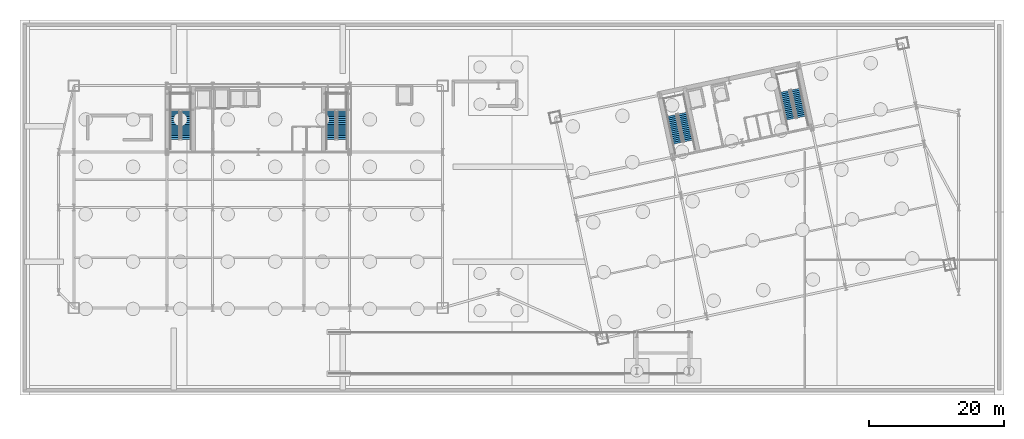
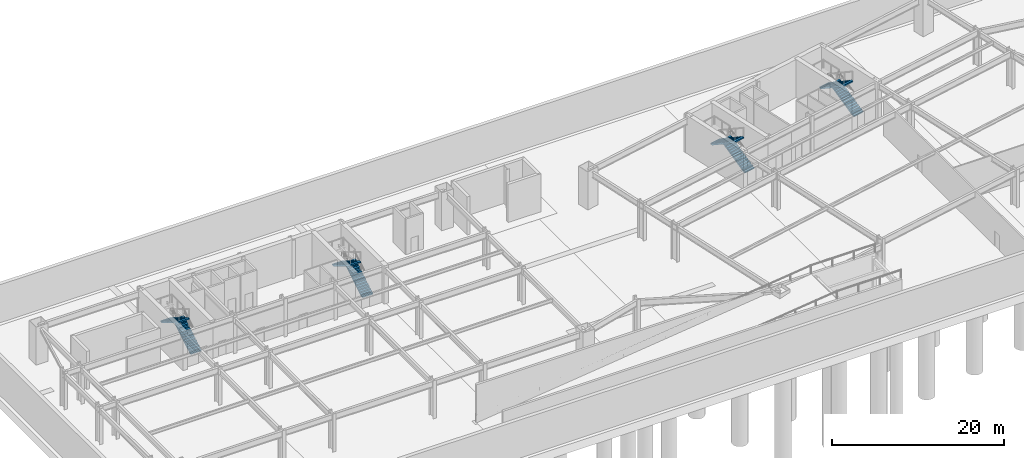
# One storey, part 11 of 15: 8 stair flights, 4 elements without a shape of their own.
"""IFC4 building model written with IfcOpenShell, lengths in metres."""

import ifcopenshell
import ifcopenshell.guid

model = None  # the IFC model being written
_history = None  # IfcOwnerHistory: only IFC2X3 demands one
_inside = {}  # id of a spatial element -> (the spatial element, [elements in it])
_under = {}  # id of a project, library or spatial element -> (it, [spatial elements below it])
_declared = {}  # id of a project -> (the project, [libraries it declares])
_typed = {}  # id of a type object -> (the type object, [elements of that type])
_made_of = {}  # id of a material, layer set ... -> (it, [elements and type objects made of it])


def new_model(schema):
    """Start an empty IFC model of exactly this schema.

    Asked for "IFC4X3", IfcOpenShell would pick the latest addendum, in which some entities
    have other attributes; the version numbers below select the first issue.
    IFC2X3 requires an IfcOwnerHistory on every rooted entity: one is made here for all.
    """
    global model, _history
    if schema == "IFC4X3":
        model = ifcopenshell.file(schema_version=(4, 3, 0, 0))
    else:
        model = ifcopenshell.file(schema=schema)
    _inside.clear()
    _under.clear()
    _declared.clear()
    _typed.clear()
    _made_of.clear()
    _history = None
    if model.schema == "IFC2X3":
        org = make("IfcOrganization", Name="unknown")
        user = make(
            "IfcPersonAndOrganization",
            ThePerson=make("IfcPerson", FamilyName="unknown"),
            TheOrganization=org,
        )
        app = make(
            "IfcApplication",
            ApplicationDeveloper=org,
            Version="unknown",
            ApplicationFullName="unknown",
            ApplicationIdentifier="unknown",
        )
        _history = make(
            "IfcOwnerHistory",
            OwningUser=user,
            OwningApplication=app,
            ChangeAction="ADDED",
            CreationDate=0,
        )
    return model


def make(cls, **values):
    """One entity of the class cls with the attributes given. An attribute that is None is left unset."""
    return model.create_entity(
        cls, **{name: value for name, value in values.items() if value is not None}
    )


def rooted(cls, **values):
    """An entity with a GlobalId (a new one), such as an element, a storey or a relation."""
    return make(cls, GlobalId=ifcopenshell.guid.new(), OwnerHistory=_history, **values)


def si_unit(unit_type, name, prefix=None):
    """IfcSIUnit, for example si_unit("LENGTHUNIT", "METRE", prefix="MILLI")."""
    return make("IfcSIUnit", UnitType=unit_type, Prefix=prefix, Name=name)


def assignment(units):
    """IfcUnitAssignment: the units of a project."""
    return None if units is None else make("IfcUnitAssignment", Units=units)


def point(xyz):
    """IfcCartesianPoint."""
    return None if xyz is None else make("IfcCartesianPoint", Coordinates=xyz)


def direction(xyz):
    """IfcDirection."""
    return None if xyz is None else make("IfcDirection", DirectionRatios=xyz)


def frame(location, z_axis=None, x_axis=None):
    """IfcAxis2Placement3D, a coordinate frame: its origin and axes. An axis left out is left unset."""
    return make(
        "IfcAxis2Placement3D",
        Location=point(location),
        Axis=direction(z_axis),
        RefDirection=direction(x_axis),
    )


def origin():
    """The frame at (0, 0, 0) with its axes left unset."""
    return frame((0.0, 0.0, 0.0))


def place(relative_to, where):
    """IfcLocalPlacement: puts the frame where relative to a parent placement (None: the world)."""
    return make(
        "IfcLocalPlacement", PlacementRelTo=relative_to, RelativePlacement=where
    )


def context(
    kind, dimensions, precision=None, world=None, true_north=None, identifier=None
):
    """IfcGeometricRepresentationContext, for example the 3D "Model" context."""
    return make(
        "IfcGeometricRepresentationContext",
        ContextIdentifier=identifier,
        ContextType=kind,
        CoordinateSpaceDimension=dimensions,
        Precision=precision,
        WorldCoordinateSystem=world,
        TrueNorth=true_north,
    )


def subcontext(parent, identifier, kind, view, scale=None):
    """IfcGeometricRepresentationSubContext, for example "Body" below "Model"."""
    return make(
        "IfcGeometricRepresentationSubContext",
        ContextIdentifier=identifier,
        ContextType=kind,
        ParentContext=parent,
        TargetScale=scale,
        TargetView=view,
    )


def project(units=None, contexts=None):
    """IfcProject with its units and contexts."""
    return rooted(
        "IfcProject",
        Name="project",
        RepresentationContexts=contexts,
        UnitsInContext=assignment(units),
    )


def spatial(cls, under=None, at=None, **own):
    """A site, building, storey or space (cls), placed at a placement, below another one or the project."""
    s = rooted(cls, ObjectPlacement=at, **own)
    if under is not None:
        _under.setdefault(under.id(), (under, []))[1].append(s)
    return s


def polyline(points):
    """IfcPolyline through the points."""
    return make("IfcPolyline", Points=[point(p) for p in points])


def outline(outer, holes=None, kind="AREA"):
    """IfcArbitraryClosedProfileDef: a profile drawn as a closed curve; with holes, ...WithVoids."""
    if holes is None:
        return make("IfcArbitraryClosedProfileDef", ProfileType=kind, OuterCurve=outer)
    return make(
        "IfcArbitraryProfileDefWithVoids",
        ProfileType=kind,
        OuterCurve=outer,
        InnerCurves=holes,
    )


def extrude(swept, where, along, depth):
    """IfcExtrudedAreaSolid: the profile swept, set in the frame where, extruded along a direction by depth."""
    return make(
        "IfcExtrudedAreaSolid",
        SweptArea=swept,
        Position=where,
        ExtrudedDirection=direction(along),
        Depth=depth,
    )


def shape(context_of_items, identifier, shape_type, items):
    """IfcShapeRepresentation: the items that make up one representation, for example the "Body"."""
    return make(
        "IfcShapeRepresentation",
        ContextOfItems=context_of_items,
        RepresentationIdentifier=identifier,
        RepresentationType=shape_type,
        Items=items,
    )


def material(Name=None, Category=None):
    """IfcMaterial."""
    return make("IfcMaterial", Name=Name, Category=Category)


def made_of(thing, what):
    """Note that an element or type object is made of a material, layer set ...; save() writes the relation."""
    if what is not None:
        _made_of.setdefault(what.id(), (what, []))[1].append(thing)
    return thing


def type_object(cls, material=None, **own):
    """A type object (cls), such as IfcWallType, which elements share."""
    return made_of(rooted(cls, **own), material)


def element(
    cls,
    number,
    at=None,
    inside=None,
    cuts=None,
    type_object=None,
    material=None,
    context=None,
    identifier="Body",
    shape_type=None,
    held_by="IfcProductDefinitionShape",
    body=None,
    shapes=None,
    **own,
):
    """One element of the class cls, such as IfcWall. Its Tag is "e" and its number.

    at: its placement. inside: the storey or other place that contains it. cuts: it is an
    opening in that element (IfcRelVoidsElement). A single representation is given by context,
    identifier, shape_type and body (its items); several are given by shapes. held_by: the class
    of the entity that holds the representations. save() writes the other relations.
    """
    e = rooted(cls, Tag="e%d" % number, ObjectPlacement=at, **own)
    if body is not None:
        shapes = [shape(context, identifier, shape_type, body)]
    if shapes is not None:
        e.Representation = make(held_by, Representations=shapes)
    if inside is not None:
        _inside.setdefault(inside.id(), (inside, []))[1].append(e)
    if cuts is not None:
        rooted(
            "IfcRelVoidsElement", RelatingBuildingElement=cuts, RelatedOpeningElement=e
        )
    if type_object is not None:
        _typed.setdefault(type_object.id(), (type_object, []))[1].append(e)
    return made_of(e, material)


def aggregate(whole, parts):
    """IfcRelAggregates: a whole, such as a stair, and the parts it consists of."""
    return rooted("IfcRelAggregates", RelatingObject=whole, RelatedObjects=parts)


def save(model, path):
    """Write the relations noted so far, then the file.

    IfcRelAggregates (storeys below a building ...), IfcRelContainedInSpatialStructure (elements
    in a storey), IfcRelDefinesByType, IfcRelAssociatesMaterial and IfcRelDeclares: one each for
    every whole, place, type object, material and project.
    """
    for whole, parts in _under.values():
        aggregate(whole, parts)
    for where, things in _inside.values():
        rooted(
            "IfcRelContainedInSpatialStructure",
            RelatedElements=things,
            RelatingStructure=where,
        )
    for kind, things in _typed.values():
        rooted("IfcRelDefinesByType", RelatedObjects=things, RelatingType=kind)
    for what, things in _made_of.values():
        rooted("IfcRelAssociatesMaterial", RelatedObjects=things, RelatingMaterial=what)
    for by, libraries in _declared.values():
        rooted("IfcRelDeclares", RelatingContext=by, RelatedDefinitions=libraries)
    model.write(path)


model = new_model("IFC4")

# Units and contexts
model_context = context("Model", 3, precision=1e-05, world=origin(), true_north=direction((0.0, 1.0)))
body_context = subcontext(model_context, "Body", "Model", "MODEL_VIEW")
ifc_project = project(units=[si_unit("LENGTHUNIT", "METRE"), si_unit("AREAUNIT", "SQUARE_METRE"), si_unit("VOLUMEUNIT", "CUBIC_METRE"), si_unit("PLANEANGLEUNIT", "RADIAN"), si_unit("MASSUNIT", "GRAM", prefix="KILO")], contexts=[model_context])

# Site, building, storey
site_placement = place(None, origin())
site = spatial("IfcSite", under=ifc_project, at=site_placement, CompositionType="ELEMENT")
building_placement = place(site_placement, origin())
building = spatial("IfcBuilding", under=site, at=building_placement, Name="Haevon Station Towers", CompositionType="ELEMENT")
storey_placement = place(building_placement, frame((0.0, 0.0, -10.800048828125)))
storey = spatial("IfcBuildingStorey", under=building, at=storey_placement, Name="B02", CompositionType="ELEMENT", Elevation=-10.800048828125)

# Stair, stair flights
ifc_material = material(Name="Concrete C40/50", Category="concrete")
stair_type = type_object("IfcStairType", Name="STR-DL1450", PredefinedType="USERDEFINED", material=ifc_material)
stair_1_placement = place(storey_placement, origin())
stair_1 = element("IfcStair", 1, at=stair_1_placement, inside=storey, type_object=stair_type, Name="B02 Escape Stair ST1", ObjectType="TWO_RETURN_STAIR", PredefinedType="USERDEFINED")
stair_flight_type = type_object("IfcStairFlightType", Name="STF-ST1450", PredefinedType="STRAIGHT", material=ifc_material)
stair_flight_1_placement = place(storey_placement, frame((26.85498046875, 40.050048828125, 0.0), z_axis=(0.0, 0.0, 1.0), x_axis=(0.0, 1.0, 0.0)))
stair_flight_1 = element("IfcStairFlight", 2, at=stair_flight_1_placement, type_object=stair_flight_type, Name="B02 ST1 Flight 1", NumberOfRisers=16, NumberOfTreads=15, PredefinedType="STRAIGHT", RiserHeight=0.16875, TreadLength=0.28, context=body_context, shape_type="SweptSolid", body=[
    extrude(outline(polyline([(0.0, 0.0), (0.0, 0.168701171875), (0.280029296875, 0.168701171875), (0.280029296875, 0.33740234375), (0.56005859375, 0.33740234375), (0.56005859375, 0.50634765625), (0.840087890625, 0.50634765625), (0.840087890625, 0.675048828125), (1.1201171875, 0.675048828125), (1.1201171875, 0.84375), (1.39990234375, 0.84375), (1.39990234375, 1.012451171875), (1.679931640625, 1.012451171875), (1.679931640625, 1.18115234375), (1.9599609375, 1.18115234375), (1.9599609375, 1.35009765625), (2.239990234375, 1.35009765625), (2.239990234375, 1.518798828125), (2.52001953125, 1.518798828125), (2.52001953125, 1.6875), (2.800048828125, 1.6875), (2.800048828125, 1.856201171875), (3.080078125, 1.856201171875), (3.080078125, 2.02490234375), (3.360107421875, 2.02490234375), (3.360107421875, 2.19384765625), (3.639892578125, 2.19384765625), (3.639892578125, 2.362548828125), (3.919921875, 2.362548828125), (3.919921875, 2.53125), (4.199951171875, 2.53125), (4.199951171875, 2.699951171875), (4.199951171875, 2.344482421875), (0.309814453125, 0.0), (0.0, 0.0)])), frame((0.0, 0.72509765625, 0.0), z_axis=(0.0, -1.0, 0.0), x_axis=(1.0, 0.0, 0.0)), (0.0, 0.0, 1.0), 1.449951171875),
])
stair_flight_2_placement = place(storey_placement, frame((25.205078125, 44.25, 2.699951171875), z_axis=(0.0, 0.0, 1.0), x_axis=(0.0, -1.0, 0.0)))
stair_flight_2 = element("IfcStairFlight", 3, at=stair_flight_2_placement, type_object=stair_flight_type, Name="B02 ST1 Flight 2", NumberOfRisers=16, NumberOfTreads=15, PredefinedType="STRAIGHT", RiserHeight=0.16875, TreadLength=0.28, context=body_context, shape_type="SweptSolid", body=[
    extrude(outline(polyline([(0.0, 0.0), (0.0, 0.168701171875), (0.280029296875, 0.168701171875), (0.280029296875, 0.33740234375), (0.56005859375, 0.33740234375), (0.56005859375, 0.50634765625), (0.840087890625, 0.50634765625), (0.840087890625, 0.675048828125), (1.1201171875, 0.675048828125), (1.1201171875, 0.84375), (1.39990234375, 0.84375), (1.39990234375, 1.012451171875), (1.679931640625, 1.012451171875), (1.679931640625, 1.18115234375), (1.9599609375, 1.18115234375), (1.9599609375, 1.35009765625), (2.239990234375, 1.35009765625), (2.239990234375, 1.518798828125), (2.52001953125, 1.518798828125), (2.52001953125, 1.6875), (2.800048828125, 1.6875), (2.800048828125, 1.856201171875), (3.080078125, 1.856201171875), (3.080078125, 2.02490234375), (3.360107421875, 2.02490234375), (3.360107421875, 2.19384765625), (3.639892578125, 2.19384765625), (3.639892578125, 2.362548828125), (3.919921875, 2.362548828125), (3.919921875, 2.53125), (4.199951171875, 2.53125), (4.199951171875, 2.699951171875), (4.199951171875, 2.344482421875), (0.309814453125, 0.0), (0.0, 0.0)])), frame((0.0, 0.72509765625, 0.0), z_axis=(0.0, -1.0, 0.0), x_axis=(1.0, 0.0, 0.0)), (0.0, 0.0, 1.0), 1.449951171875),
])
aggregate(stair_1, [stair_flight_1, stair_flight_2])

stair_2_placement = place(storey_placement, origin())
stair_2 = element("IfcStair", 4, at=stair_2_placement, inside=storey, type_object=stair_type, Name="B02 Escape Stair ST2", ObjectType="TWO_RETURN_STAIR", PredefinedType="USERDEFINED")
stair_flight_3_placement = place(storey_placement, frame((49.89501953125, 40.050048828125, 0.0), z_axis=(0.0, 0.0, 1.0), x_axis=(0.0, 1.0, 0.0)))
stair_flight_3 = element("IfcStairFlight", 5, at=stair_flight_3_placement, type_object=stair_flight_type, Name="B02 ST2 Flight 1", NumberOfRisers=16, NumberOfTreads=15, PredefinedType="STRAIGHT", RiserHeight=0.16875, TreadLength=0.28, context=body_context, shape_type="SweptSolid", body=[
    extrude(outline(polyline([(0.0, 0.0), (0.0, 0.168701171875), (0.280029296875, 0.168701171875), (0.280029296875, 0.33740234375), (0.56005859375, 0.33740234375), (0.56005859375, 0.50634765625), (0.840087890625, 0.50634765625), (0.840087890625, 0.675048828125), (1.1201171875, 0.675048828125), (1.1201171875, 0.84375), (1.39990234375, 0.84375), (1.39990234375, 1.012451171875), (1.679931640625, 1.012451171875), (1.679931640625, 1.18115234375), (1.9599609375, 1.18115234375), (1.9599609375, 1.35009765625), (2.239990234375, 1.35009765625), (2.239990234375, 1.518798828125), (2.52001953125, 1.518798828125), (2.52001953125, 1.6875), (2.800048828125, 1.6875), (2.800048828125, 1.856201171875), (3.080078125, 1.856201171875), (3.080078125, 2.02490234375), (3.360107421875, 2.02490234375), (3.360107421875, 2.19384765625), (3.639892578125, 2.19384765625), (3.639892578125, 2.362548828125), (3.919921875, 2.362548828125), (3.919921875, 2.53125), (4.199951171875, 2.53125), (4.199951171875, 2.699951171875), (4.199951171875, 2.344482421875), (0.309814453125, 0.0), (0.0, 0.0)])), frame((0.0, 0.72509765625, 0.0), z_axis=(0.0, -1.0, 0.0), x_axis=(1.0, 0.0, 0.0)), (0.0, 0.0, 1.0), 1.449951171875),
])
stair_flight_4_placement = place(storey_placement, frame((48.2451171875, 44.25, 2.699951171875), z_axis=(0.0, 0.0, 1.0), x_axis=(0.0, -1.0, 0.0)))
stair_flight_4 = element("IfcStairFlight", 6, at=stair_flight_4_placement, type_object=stair_flight_type, Name="B02 ST2 Flight 2", NumberOfRisers=16, NumberOfTreads=15, PredefinedType="STRAIGHT", RiserHeight=0.16875, TreadLength=0.28, context=body_context, shape_type="SweptSolid", body=[
    extrude(outline(polyline([(0.0, 0.0), (0.0, 0.168701171875), (0.280029296875, 0.168701171875), (0.280029296875, 0.33740234375), (0.56005859375, 0.33740234375), (0.56005859375, 0.50634765625), (0.840087890625, 0.50634765625), (0.840087890625, 0.675048828125), (1.1201171875, 0.675048828125), (1.1201171875, 0.84375), (1.39990234375, 0.84375), (1.39990234375, 1.012451171875), (1.679931640625, 1.012451171875), (1.679931640625, 1.18115234375), (1.9599609375, 1.18115234375), (1.9599609375, 1.35009765625), (2.239990234375, 1.35009765625), (2.239990234375, 1.518798828125), (2.52001953125, 1.518798828125), (2.52001953125, 1.6875), (2.800048828125, 1.6875), (2.800048828125, 1.856201171875), (3.080078125, 1.856201171875), (3.080078125, 2.02490234375), (3.360107421875, 2.02490234375), (3.360107421875, 2.19384765625), (3.639892578125, 2.19384765625), (3.639892578125, 2.362548828125), (3.919921875, 2.362548828125), (3.919921875, 2.53125), (4.199951171875, 2.53125), (4.199951171875, 2.699951171875), (4.199951171875, 2.344482421875), (0.309814453125, 0.0), (0.0, 0.0)])), frame((0.0, 0.72509765625, 0.0), z_axis=(0.0, -1.0, 0.0), x_axis=(1.0, 0.0, 0.0)), (0.0, 0.0, 1.0), 1.449951171875),
])
aggregate(stair_2, [stair_flight_3, stair_flight_4])

stair_3_placement = place(storey_placement, origin())
stair_3 = element("IfcStair", 7, at=stair_3_placement, inside=storey, type_object=stair_type, Name="B02 Escape Stair ST3", ObjectType="TWO_RETURN_STAIR", PredefinedType="USERDEFINED")
stair_flight_5_placement = place(storey_placement, frame((101.1015625, 39.8330078125, 0.0), z_axis=(0.0, 0.0, 1.0), x_axis=(-0.207911690818, 0.978147600734, 0.0)))
stair_flight_5 = element("IfcStairFlight", 8, at=stair_flight_5_placement, type_object=stair_flight_type, Name="B02 ST3 Flight 1", NumberOfRisers=16, NumberOfTreads=15, PredefinedType="STRAIGHT", RiserHeight=0.16875, TreadLength=0.28, context=body_context, shape_type="SweptSolid", body=[
    extrude(outline(polyline([(0.0, 0.0), (0.0, 0.168701171875), (0.280029296875, 0.168701171875), (0.280029296875, 0.33740234375), (0.56005859375, 0.33740234375), (0.56005859375, 0.50634765625), (0.840087890625, 0.50634765625), (0.840087890625, 0.675048828125), (1.1201171875, 0.675048828125), (1.1201171875, 0.84375), (1.39990234375, 0.84375), (1.39990234375, 1.012451171875), (1.679931640625, 1.012451171875), (1.679931640625, 1.18115234375), (1.9599609375, 1.18115234375), (1.9599609375, 1.35009765625), (2.239990234375, 1.35009765625), (2.239990234375, 1.518798828125), (2.52001953125, 1.518798828125), (2.52001953125, 1.6875), (2.800048828125, 1.6875), (2.800048828125, 1.856201171875), (3.080078125, 1.856201171875), (3.080078125, 2.02490234375), (3.360107421875, 2.02490234375), (3.360107421875, 2.19384765625), (3.639892578125, 2.19384765625), (3.639892578125, 2.362548828125), (3.919921875, 2.362548828125), (3.919921875, 2.53125), (4.199951171875, 2.53125), (4.199951171875, 2.699951171875), (4.199951171875, 2.344482421875), (0.309814453125, 0.0), (0.0, 0.0)])), frame((0.0, 0.72509765625, 0.0), z_axis=(0.0, -1.0, 0.0), x_axis=(1.0, 0.0, 0.0)), (0.0, 0.0, 1.0), 1.449951171875),
])
stair_flight_6_placement = place(storey_placement, frame((98.614501953125, 43.59814453125, 2.699951171875), z_axis=(0.0, 0.0, 1.0), x_axis=(0.207911690818, -0.978147600734, 0.0)))
stair_flight_6 = element("IfcStairFlight", 9, at=stair_flight_6_placement, type_object=stair_flight_type, Name="B02 ST3 Flight 2", NumberOfRisers=16, NumberOfTreads=15, PredefinedType="STRAIGHT", RiserHeight=0.16875, TreadLength=0.28, context=body_context, shape_type="SweptSolid", body=[
    extrude(outline(polyline([(0.0, 0.0), (0.0, 0.168701171875), (0.280029296875, 0.168701171875), (0.280029296875, 0.33740234375), (0.56005859375, 0.33740234375), (0.56005859375, 0.50634765625), (0.840087890625, 0.50634765625), (0.840087890625, 0.675048828125), (1.1201171875, 0.675048828125), (1.1201171875, 0.84375), (1.39990234375, 0.84375), (1.39990234375, 1.012451171875), (1.679931640625, 1.012451171875), (1.679931640625, 1.18115234375), (1.9599609375, 1.18115234375), (1.9599609375, 1.35009765625), (2.239990234375, 1.35009765625), (2.239990234375, 1.518798828125), (2.52001953125, 1.518798828125), (2.52001953125, 1.6875), (2.800048828125, 1.6875), (2.800048828125, 1.856201171875), (3.080078125, 1.856201171875), (3.080078125, 2.02490234375), (3.360107421875, 2.02490234375), (3.360107421875, 2.19384765625), (3.639892578125, 2.19384765625), (3.639892578125, 2.362548828125), (3.919921875, 2.362548828125), (3.919921875, 2.53125), (4.199951171875, 2.53125), (4.199951171875, 2.699951171875), (4.199951171875, 2.344482421875), (0.309814453125, 0.0), (0.0, 0.0)])), frame((0.0, 0.72509765625, 0.0), z_axis=(0.0, -1.0, 0.0), x_axis=(1.0, 0.0, 0.0)), (0.0, 0.0, 1.0), 1.449951171875),
])
aggregate(stair_3, [stair_flight_5, stair_flight_6])

stair_4_placement = place(storey_placement, origin())
stair_4 = element("IfcStair", 10, at=stair_4_placement, inside=storey, type_object=stair_type, Name="B02 Escape Stair ST4", ObjectType="TWO_RETURN_STAIR", PredefinedType="USERDEFINED")
stair_flight_7_placement = place(storey_placement, frame((117.788818359375, 43.380126953125, 0.0), z_axis=(0.0, 0.0, 1.0), x_axis=(-0.207911690818, 0.978147600734, 0.0)))
stair_flight_7 = element("IfcStairFlight", 11, at=stair_flight_7_placement, type_object=stair_flight_type, Name="B02 ST4 Flight 1", NumberOfRisers=16, NumberOfTreads=15, PredefinedType="STRAIGHT", RiserHeight=0.16875, TreadLength=0.28, context=body_context, shape_type="SweptSolid", body=[
    extrude(outline(polyline([(0.0, 0.0), (0.0, 0.168701171875), (0.280029296875, 0.168701171875), (0.280029296875, 0.33740234375), (0.56005859375, 0.33740234375), (0.56005859375, 0.50634765625), (0.840087890625, 0.50634765625), (0.840087890625, 0.675048828125), (1.1201171875, 0.675048828125), (1.1201171875, 0.84375), (1.39990234375, 0.84375), (1.39990234375, 1.012451171875), (1.679931640625, 1.012451171875), (1.679931640625, 1.18115234375), (1.9599609375, 1.18115234375), (1.9599609375, 1.35009765625), (2.239990234375, 1.35009765625), (2.239990234375, 1.518798828125), (2.52001953125, 1.518798828125), (2.52001953125, 1.6875), (2.800048828125, 1.6875), (2.800048828125, 1.856201171875), (3.080078125, 1.856201171875), (3.080078125, 2.02490234375), (3.360107421875, 2.02490234375), (3.360107421875, 2.19384765625), (3.639892578125, 2.19384765625), (3.639892578125, 2.362548828125), (3.919921875, 2.362548828125), (3.919921875, 2.53125), (4.199951171875, 2.53125), (4.199951171875, 2.699951171875), (4.199951171875, 2.344482421875), (0.309814453125, 0.0), (0.0, 0.0)])), frame((0.0, 0.72509765625, 0.0), z_axis=(0.0, -1.0, 0.0), x_axis=(1.0, 0.0, 0.0)), (0.0, 0.0, 1.0), 1.449951171875),
])
stair_flight_8_placement = place(storey_placement, frame((115.3017578125, 47.145263671875, 2.699951171875), z_axis=(0.0, 0.0, 1.0), x_axis=(0.207911690818, -0.978147600734, 0.0)))
stair_flight_8 = element("IfcStairFlight", 12, at=stair_flight_8_placement, type_object=stair_flight_type, Name="B02 ST4 Flight 2", NumberOfRisers=16, NumberOfTreads=15, PredefinedType="STRAIGHT", RiserHeight=0.16875, TreadLength=0.28, context=body_context, shape_type="SweptSolid", body=[
    extrude(outline(polyline([(0.0, 0.0), (0.0, 0.168701171875), (0.280029296875, 0.168701171875), (0.280029296875, 0.33740234375), (0.56005859375, 0.33740234375), (0.56005859375, 0.50634765625), (0.840087890625, 0.50634765625), (0.840087890625, 0.675048828125), (1.1201171875, 0.675048828125), (1.1201171875, 0.84375), (1.39990234375, 0.84375), (1.39990234375, 1.012451171875), (1.679931640625, 1.012451171875), (1.679931640625, 1.18115234375), (1.9599609375, 1.18115234375), (1.9599609375, 1.35009765625), (2.239990234375, 1.35009765625), (2.239990234375, 1.518798828125), (2.52001953125, 1.518798828125), (2.52001953125, 1.6875), (2.800048828125, 1.6875), (2.800048828125, 1.856201171875), (3.080078125, 1.856201171875), (3.080078125, 2.02490234375), (3.360107421875, 2.02490234375), (3.360107421875, 2.19384765625), (3.639892578125, 2.19384765625), (3.639892578125, 2.362548828125), (3.919921875, 2.362548828125), (3.919921875, 2.53125), (4.199951171875, 2.53125), (4.199951171875, 2.699951171875), (4.199951171875, 2.344482421875), (0.309814453125, 0.0), (0.0, 0.0)])), frame((0.0, 0.72509765625, 0.0), z_axis=(0.0, -1.0, 0.0), x_axis=(1.0, 0.0, 0.0)), (0.0, 0.0, 1.0), 1.449951171875),
])
aggregate(stair_4, [stair_flight_7, stair_flight_8])

save(model, "model.ifc")
